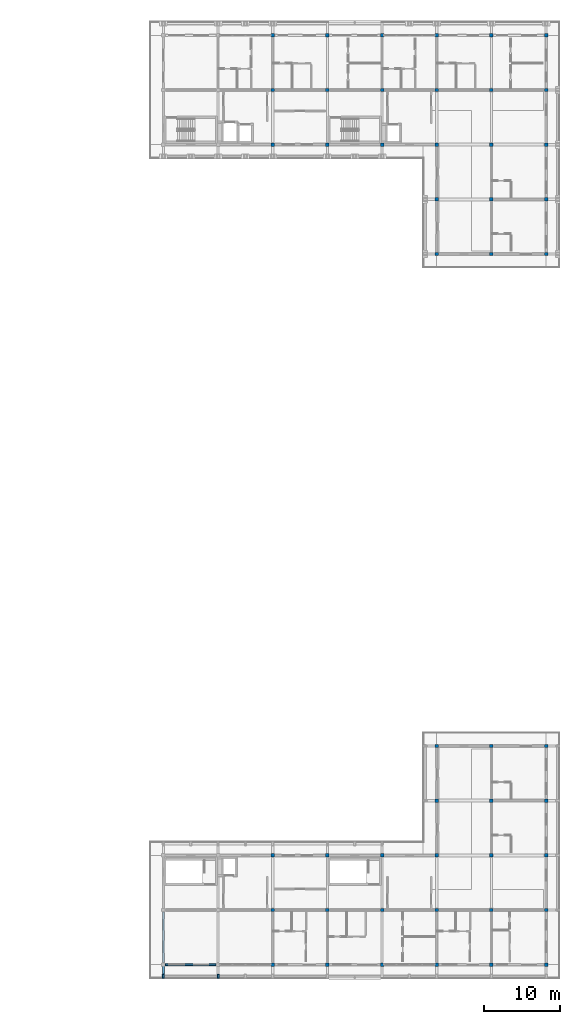
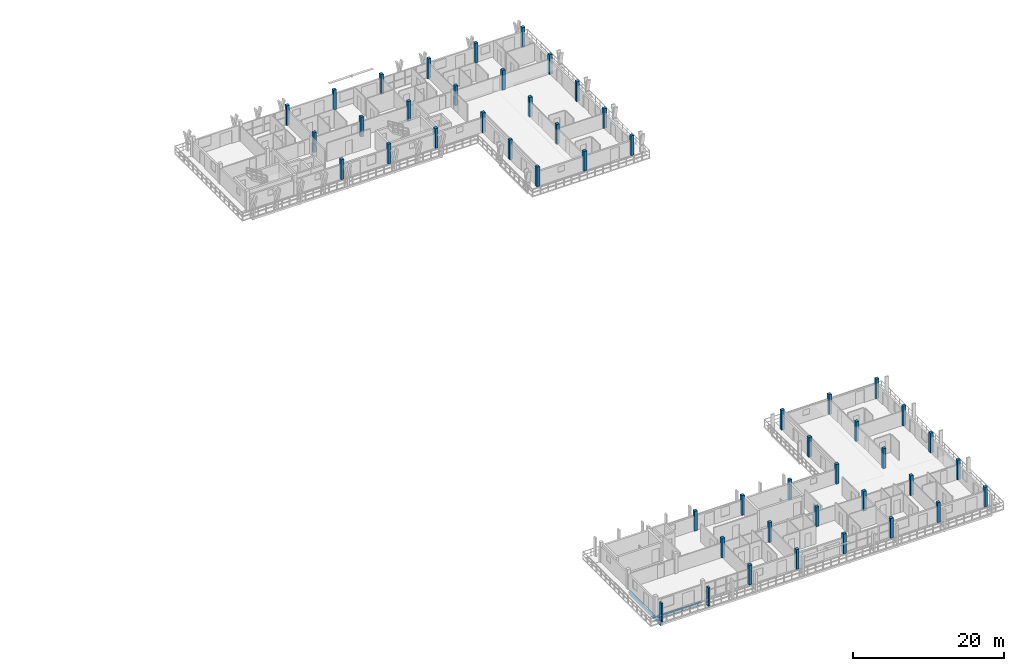
# One storey, part 3 of 56: 48 columns, 3 beams, 2 members.
"""IFC4 building model written with IfcOpenShell, lengths in metres."""

from ifc_helpers import new_model, si_unit, direction, frame, origin, origin_2d, place, context, subcontext, project, spatial, rectangle, extrude, material, material_profile, profile_set, type_object, element, save


model = new_model("IFC4")

# Units and contexts
model_context = context("Model", 3, precision=1e-05, world=origin(), true_north=direction((0.0, 1.0)))
body_context = subcontext(model_context, "Body", "Model", "MODEL_VIEW")
ifc_project = project(units=[si_unit("LENGTHUNIT", "METRE"), si_unit("AREAUNIT", "SQUARE_METRE"), si_unit("VOLUMEUNIT", "CUBIC_METRE"), si_unit("PLANEANGLEUNIT", "RADIAN"), si_unit("MASSUNIT", "GRAM", prefix="KILO")], contexts=[model_context])

# Site, building, storey
site_placement = place(None, origin())
site = spatial("IfcSite", under=ifc_project, at=site_placement, CompositionType="ELEMENT")
building_placement = place(site_placement, origin())
building = spatial("IfcBuilding", under=site, at=building_placement, Name="Suanplinth Sawtooth Commons", CompositionType="ELEMENT")
storey_placement = place(building_placement, frame((0.0, 0.0, 34.800048828125)))
storey = spatial("IfcBuildingStorey", under=building, at=storey_placement, Name="L10", CompositionType="ELEMENT", Elevation=34.800048828125)

# Columns
ifc_material_1 = material(Name="Precast concrete C40/50", Category="concrete")
ifc_material_profile_1 = material_profile(ifc_material_1, rectangle(XDim=0.449951171875, YDim=0.449951171875, at=origin_2d()), Name="PC-COL 450x450")
ifc_profile_set_1 = profile_set([ifc_material_profile_1], Name="Precast concrete C40/50")
column_type = type_object("IfcColumnType", Name="C-07", PredefinedType="COLUMN", material=ifc_profile_set_1)
for number, where, z_axis, x_axis, name in (
    (1, (151.199951171875, 0.0, 0.0), (0.0, 0.0, 1.0), (1.0, 0.0, 0.0), "Column L10 22/A"),
    (2, (151.199951171875, 7.199951171875, 0.0), (0.0, 0.0, 1.0), (1.0, 0.0, 0.0), "Column L10 22/B"),
    (3, (151.199951171875, 14.39990234375, 0.0), (0.0, 0.0, 1.0), (1.0, 0.0, 0.0), "Column L10 22/C"),
    (4, (151.199951171875, 108.0, 0.0), (0.0, 0.0, 1.0), (1.0, 0.0, 0.0), "Column L10 22/R"),
    (5, (151.199951171875, 115.199951171875, 0.0), (0.0, 0.0, 1.0), (1.0, 0.0, 0.0), "Column L10 22/S"),
    (6, (151.199951171875, 122.39990234375, 0.0), (0.0, 0.0, 1.0), (1.0, 0.0, 0.0), "Column L10 22/T"),
    (7, (158.39990234375, 0.0, 0.0), (0.0, 0.0, 1.0), (1.0, 0.0, 0.0), "Column L10 23/A"),
    (8, (158.39990234375, 7.199951171875, 0.0), (0.0, 0.0, 1.0), (1.0, 0.0, 0.0), "Column L10 23/B"),
    (9, (158.39990234375, 14.39990234375, 0.0), (0.0, 0.0, 1.0), (1.0, 0.0, 0.0), "Column L10 23/C"),
    (10, (158.39990234375, 108.0, 0.0), (0.0, 0.0, 1.0), (1.0, 0.0, 0.0), "Column L10 23/R"),
    (11, (158.39990234375, 115.199951171875, 0.0), (0.0, 0.0, 1.0), (1.0, 0.0, 0.0), "Column L10 23/S"),
    (12, (158.39990234375, 122.39990234375, 0.0), (0.0, 0.0, 1.0), (1.0, 0.0, 0.0), "Column L10 23/T"),
    (13, (165.60009765625, 0.0, 0.0), (0.0, 0.0, 1.0), (1.0, 0.0, 0.0), "Column L10 24/A"),
    (14, (165.60009765625, 7.199951171875, 0.0), (0.0, 0.0, 1.0), (1.0, 0.0, 0.0), "Column L10 24/B"),
    (15, (165.60009765625, 14.39990234375, 0.0), (0.0, 0.0, 1.0), (1.0, 0.0, 0.0), "Column L10 24/C"),
    (16, (165.60009765625, 108.0, 0.0), (0.0, 0.0, 1.0), (1.0, 0.0, 0.0), "Column L10 24/R"),
    (17, (165.60009765625, 115.199951171875, 0.0), (0.0, 0.0, 1.0), (1.0, 0.0, 0.0), "Column L10 24/S"),
    (18, (165.60009765625, 122.39990234375, 0.0), (0.0, 0.0, 1.0), (1.0, 0.0, 0.0), "Column L10 24/T"),
    (19, (172.800048828125, 0.0, 0.0), (0.0, 0.0, 1.0), (1.0, 0.0, 0.0), "Column L10 25/A"),
    (20, (172.800048828125, 7.199951171875, 0.0), (0.0, 0.0, 1.0), (1.0, 0.0, 0.0), "Column L10 25/B"),
    (21, (172.800048828125, 14.39990234375, 0.0), (0.0, 0.0, 1.0), (1.0, 0.0, 0.0), "Column L10 25/C"),
    (22, (172.800048828125, 21.60009765625, 0.0), (0.0, 0.0, 1.0), (1.0, 0.0, 0.0), "Column L10 25/D"),
    (23, (172.800048828125, 28.800048828125, 0.0), (0.0, 0.0, 1.0), (1.0, 0.0, 0.0), "Column L10 25/E"),
    (24, (172.800048828125, 93.60009765625, 0.0), (0.0, 0.0, 1.0), (1.0, 0.0, 0.0), "Column L10 25/P"),
    (25, (172.800048828125, 100.800048828125, 0.0), (0.0, 0.0, 1.0), (1.0, 0.0, 0.0), "Column L10 25/Q"),
    (26, (172.800048828125, 108.0, 0.0), (0.0, 0.0, 1.0), (1.0, 0.0, 0.0), "Column L10 25/R"),
    (27, (172.800048828125, 115.199951171875, 0.0), (0.0, 0.0, 1.0), (1.0, 0.0, 0.0), "Column L10 25/S"),
    (28, (172.800048828125, 122.39990234375, 0.0), (0.0, 0.0, 1.0), (1.0, 0.0, 0.0), "Column L10 25/T"),
    (29, (180.0, 0.0, 0.0), (0.0, 0.0, 1.0), (1.0, 0.0, 0.0), "Column L10 26/A"),
    (30, (180.0, 7.199951171875, 0.0), (0.0, 0.0, 1.0), (1.0, 0.0, 0.0), "Column L10 26/B"),
    (31, (180.0, 14.39990234375, 0.0), (0.0, 0.0, 1.0), (1.0, 0.0, 0.0), "Column L10 26/C"),
    (32, (180.0, 21.60009765625, 0.0), (0.0, 0.0, 1.0), (1.0, 0.0, 0.0), "Column L10 26/D"),
    (33, (180.0, 28.800048828125, 0.0), (0.0, 0.0, 1.0), (1.0, 0.0, 0.0), "Column L10 26/E"),
    (34, (180.0, 93.60009765625, 0.0), (0.0, 0.0, 1.0), (1.0, 0.0, 0.0), "Column L10 26/P"),
    (35, (180.0, 100.800048828125, 0.0), (0.0, 0.0, 1.0), (1.0, 0.0, 0.0), "Column L10 26/Q"),
    (36, (180.0, 108.0, 0.0), (0.0, 0.0, 1.0), (1.0, 0.0, 0.0), "Column L10 26/R"),
    (37, (180.0, 115.199951171875, 0.0), (0.0, 0.0, 1.0), (1.0, 0.0, 0.0), "Column L10 26/S"),
    (38, (180.0, 122.39990234375, 0.0), (0.0, 0.0, 1.0), (1.0, 0.0, 0.0), "Column L10 26/T"),
    (39, (187.199951171875, 0.0, 0.0), (0.0, 0.0, 1.0), (1.0, 0.0, 0.0), "Column L10 27/A"),
    (40, (187.199951171875, 7.199951171875, 0.0), (0.0, 0.0, 1.0), (1.0, 0.0, 0.0), "Column L10 27/B"),
    (41, (187.199951171875, 14.39990234375, 0.0), (0.0, 0.0, 1.0), (1.0, 0.0, 0.0), "Column L10 27/C"),
    (42, (187.199951171875, 21.60009765625, 0.0), (0.0, 0.0, 1.0), (1.0, 0.0, 0.0), "Column L10 27/D"),
    (43, (187.199951171875, 28.800048828125, 0.0), (0.0, 0.0, 1.0), (1.0, 0.0, 0.0), "Column L10 27/E"),
    (44, (187.199951171875, 93.60009765625, 0.0), (0.0, 0.0, 1.0), (1.0, 0.0, 0.0), "Column L10 27/P"),
    (45, (187.199951171875, 100.800048828125, 0.0), (0.0, 0.0, 1.0), (1.0, 0.0, 0.0), "Column L10 27/Q"),
    (46, (187.199951171875, 108.0, 0.0), (0.0, 0.0, 1.0), (1.0, 0.0, 0.0), "Column L10 27/R"),
    (47, (187.199951171875, 115.199951171875, 0.0), (0.0, 0.0, 1.0), (1.0, 0.0, 0.0), "Column L10 27/S"),
    (48, (187.199951171875, 122.39990234375, 0.0), (0.0, 0.0, 1.0), (1.0, 0.0, 0.0), "Column L10 27/T"),
):
    element("IfcColumn", number, at=place(storey_placement, frame(where, z_axis=z_axis, x_axis=x_axis)), inside=storey, type_object=column_type, Name=name, PredefinedType="COLUMN", context=body_context, shape_type="SweptSolid", body=[
        extrude(rectangle(XDim=0.449951171875, YDim=0.449951171875, at=origin_2d()), origin(), (0.0, 0.0, 1.0), 3.199951171875),
    ])

# Beams
ifc_material_profile_2 = material_profile(ifc_material_1, rectangle(XDim=0.300048828125, YDim=0.5, at=origin_2d()), Name="PC-BM 300x500")
ifc_profile_set_2 = profile_set([ifc_material_profile_2], Name="Precast concrete C40/50")
beam_type_1 = type_object("IfcBeamType", Name="B-07", PredefinedType="BEAM", material=ifc_profile_set_2)
beam_1_placement = place(storey_placement, frame((136.800048828125, 0.27490234375, -0.469970703125), z_axis=(0.0, 1.0, 0.0), x_axis=(-1.0, 0.0, 0.0)))
element("IfcBeam", 49, at=beam_1_placement, inside=storey, type_object=beam_type_1, Name="BMY-L10-C-19-0", PredefinedType="BEAM", context=body_context, shape_type="SweptSolid", body=[
    extrude(rectangle(XDim=0.300048828125, YDim=0.5, at=origin_2d()), origin(), (0.0, 0.0, 1.0), 6.650146484375),
])
beam_2_placement = place(storey_placement, frame((136.800048828125, 0.0, -0.429931640625), z_axis=(0.0, -1.0, 0.0), x_axis=(1.0, 0.0, 0.0)))
element("IfcBeam", 50, at=beam_2_placement, inside=storey, type_object=beam_type_1, Name="Balcony Outrigger L10-C-S-19", PredefinedType="BEAM", context=body_context, shape_type="SweptSolid", body=[
    extrude(rectangle(XDim=0.300048828125, YDim=0.5, at=origin_2d()), origin(), (0.0, 0.0, 1.0), 1.639892578125),
])
ifc_material_profile_3 = material_profile(ifc_material_1, rectangle(XDim=0.25, YDim=0.449951171875, at=origin_2d()), Name="PC-SP 250x450")
ifc_profile_set_3 = profile_set([ifc_material_profile_3], Name="Precast concrete C40/50")
beam_type_2 = type_object("IfcBeamType", Name="B-09", PredefinedType="SPANDREL", material=ifc_profile_set_3)
beam_3_placement = place(storey_placement, frame((137.074951171875, 0.0, -0.445068359375), z_axis=(1.0, 0.0, 0.0), x_axis=(0.0, 1.0, 0.0)))
element("IfcBeam", 51, at=beam_3_placement, inside=storey, type_object=beam_type_2, Name="BMX-L10-C-19-0", PredefinedType="SPANDREL", context=body_context, shape_type="SweptSolid", body=[
    extrude(rectangle(XDim=0.25, YDim=0.449951171875, at=origin_2d()), origin(), (0.0, 0.0, 1.0), 6.650146484375),
])

# Members
ifc_material_2 = material(Name="Pigmented precast concrete C40/50", Category="concrete")
ifc_material_profile_4 = material_profile(ifc_material_2, rectangle(XDim=0.25, YDim=0.5400390625, at=origin_2d()), Name="PC-FIN 250x540")
ifc_profile_set_4 = profile_set([ifc_material_profile_4], Name="Pigmented precast concrete C40/50")
member_type = type_object("IfcMemberType", Name="M-11", PredefinedType="USERDEFINED", material=ifc_profile_set_4)
for number, where, z_axis, x_axis, name in (
    (52, (136.800048828125, -1.52001953125, 0.0), (0.0, 0.0, 1.0), (1.0, 0.0, 0.0), "Upright Solar Blade L10-C-S-01"),
    (53, (144.0, -1.52001953125, 0.0), (0.0, 0.0, 1.0), (1.0, 0.0, 0.0), "Upright Solar Blade L10-C-S-02"),
):
    element("IfcMember", number, at=place(storey_placement, frame(where, z_axis=z_axis, x_axis=x_axis)), inside=storey, type_object=member_type, Name=name, ObjectType="SHADING FIN", PredefinedType="USERDEFINED", context=body_context, shape_type="SweptSolid", body=[
        extrude(rectangle(XDim=0.25, YDim=0.5400390625, at=origin_2d()), origin(), (0.0, 0.0, 1.0), 2.969970703125),
    ])

save(model, "model.ifc")
